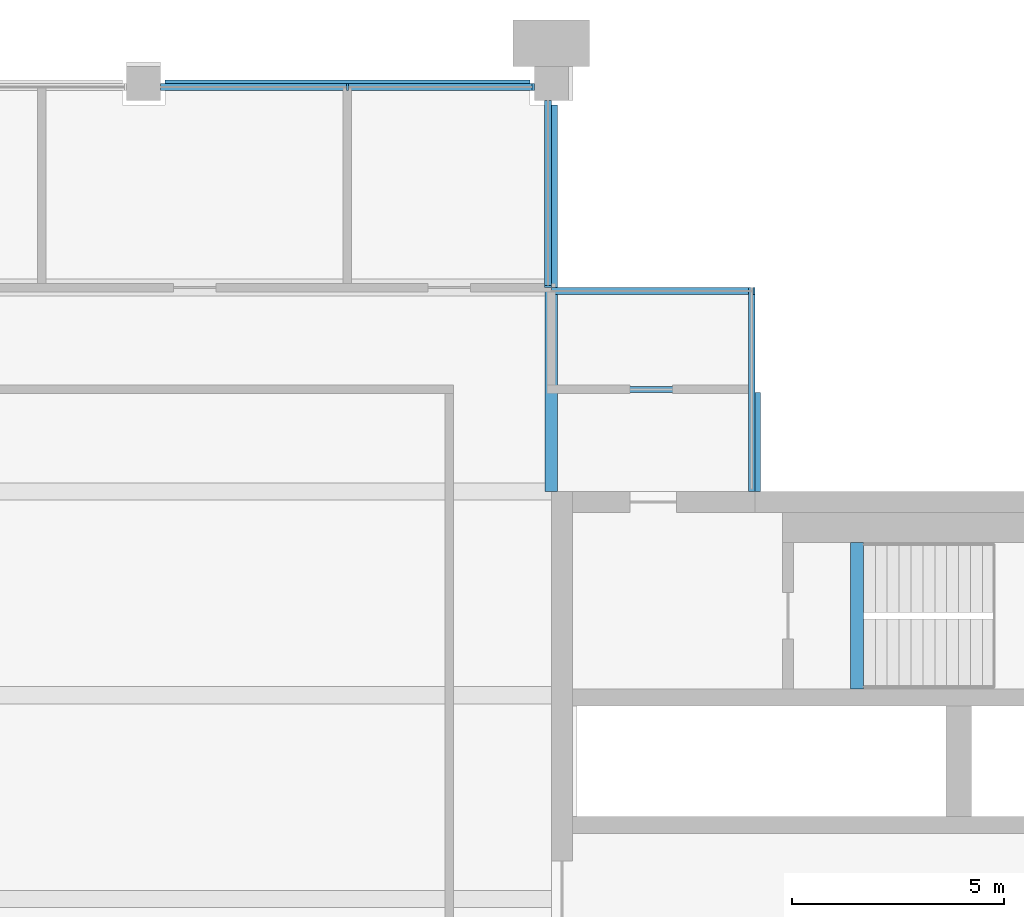
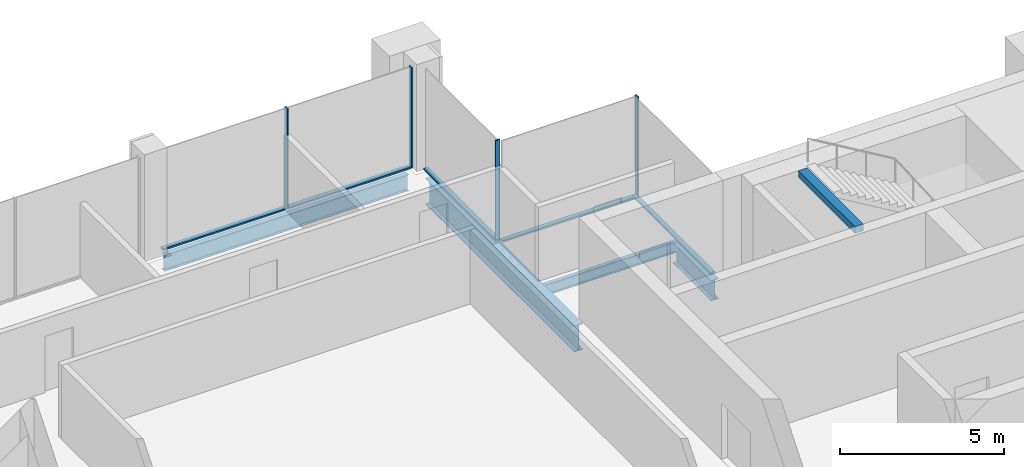
# One storey, part 6 of 11: 8 members, 5 beams, 4 elements without a shape of their own.
"""IFC4 building model written with IfcOpenShell, lengths in metres."""

from ifc_helpers import new_model, si_unit, direction, frame, origin, origin_2d, place, context, subcontext, project, spatial, rectangle, i_section, extrude, material, material_profile, profile_set, type_object, element, aggregate, save


model = new_model("IFC4")

# Units and contexts
model_context = context("Model", 3, precision=1e-05, world=origin(), true_north=direction((0.0, 1.0)))
body_context = subcontext(model_context, "Body", "Model", "MODEL_VIEW")
ifc_project = project(units=[si_unit("LENGTHUNIT", "METRE"), si_unit("AREAUNIT", "SQUARE_METRE"), si_unit("VOLUMEUNIT", "CUBIC_METRE"), si_unit("PLANEANGLEUNIT", "RADIAN"), si_unit("MASSUNIT", "GRAM", prefix="KILO")], contexts=[model_context])

# Site, building, storey
site_placement = place(None, origin())
site = spatial("IfcSite", under=ifc_project, at=site_placement, CompositionType="ELEMENT")
building_placement = place(site_placement, origin())
building = spatial("IfcBuilding", under=site, at=building_placement, Name="Baori Bourse Tower", CompositionType="ELEMENT")
storey_placement = place(building_placement, frame((0.0, 0.0, 354.300048828125)))
storey = spatial("IfcBuildingStorey", under=building, at=storey_placement, Name="L79", CompositionType="ELEMENT", Elevation=354.300048828125)

# Curtain wall, member
ifc_material_1 = material(Name="Pale anodised aluminium", Category="aluminium")
curtain_wall_type = type_object("IfcCurtainWallType", Name="CW3 Curtain wall", PredefinedType="NOTDEFINED", material=ifc_material_1)
curtain_wall_1_placement = place(storey_placement, origin())
curtain_wall_1 = element("IfcCurtainWall", 1, at=curtain_wall_1_placement, inside=storey, type_object=curtain_wall_type, Name="Curtain wall CW3 L79 3", PredefinedType="NOTDEFINED")
ifc_material_2 = material(Name="Pale anodised aluminium", Category="aluminium")
ifc_material_profile_1 = material_profile(ifc_material_2, rectangle(XDim=0.159912109375, YDim=0.050048828125, at=origin_2d()), Name="Mullion 50x160")
ifc_profile_set_1 = profile_set([ifc_material_profile_1], Name="Pale anodised aluminium")
member_type_1 = type_object("IfcMemberType", Name="CW3 Curtain wall mullion", PredefinedType="MULLION", material=ifc_profile_set_1)
member_1_placement = place(storey_placement, frame((43.175048828125, 43.1201171875, 0.06005859375), z_axis=(0.0, 0.0, 1.0), x_axis=(0.0, -1.0, 0.0)))
member_1 = element("IfcMember", 2, at=member_1_placement, type_object=member_type_1, Name="Curtain wall CW3 mullion", PredefinedType="MULLION", context=body_context, shape_type="SweptSolid", body=[
    extrude(rectangle(XDim=0.159912109375, YDim=0.050048828125, at=origin_2d()), origin(), (0.0, 0.0, 1.0), 3.68994140625),
])

curtain_wall_2_placement = place(storey_placement, origin())
curtain_wall_2 = element("IfcCurtainWall", 3, at=curtain_wall_2_placement, inside=storey, type_object=curtain_wall_type, Name="Curtain wall CW3 L79 4", PredefinedType="NOTDEFINED")
member_2_placement = place(storey_placement, frame((38.320068359375, 43.22509765625, 0.06005859375), z_axis=(0.0, 0.0, 1.0), x_axis=(-1.0, 0.0, 0.0)))
member_2 = element("IfcMember", 4, at=member_2_placement, type_object=member_type_1, Name="Curtain wall CW3 mullion", PredefinedType="MULLION", context=body_context, shape_type="SweptSolid", body=[
    extrude(rectangle(XDim=0.159912109375, YDim=0.050048828125, at=origin_2d()), origin(), (0.0, 0.0, 1.0), 3.68994140625),
])

# Curtain wall, members
curtain_wall_3_placement = place(storey_placement, origin())
curtain_wall_3 = element("IfcCurtainWall", 5, at=curtain_wall_3_placement, inside=storey, type_object=curtain_wall_type, Name="Curtain wall CW3 L79 5", PredefinedType="NOTDEFINED")
member_3_placement = place(storey_placement, frame((37.97509765625, 47.919921875, 0.06005859375), z_axis=(0.0, 0.0, 1.0), x_axis=(0.0, -1.0, 0.0)))
member_3 = element("IfcMember", 6, at=member_3_placement, type_object=member_type_1, Name="Curtain wall CW3 mullion", PredefinedType="MULLION", context=body_context, shape_type="SweptSolid", body=[
    extrude(rectangle(XDim=0.159912109375, YDim=0.050048828125, at=origin_2d()), origin(), (0.0, 0.0, 1.0), 3.68994140625),
])
member_4_placement = place(storey_placement, frame((33.60009765625, 47.919921875, 0.06005859375), z_axis=(0.0, 0.0, 1.0), x_axis=(0.0, -1.0, 0.0)))
member_4 = element("IfcMember", 7, at=member_4_placement, type_object=member_type_1, Name="Curtain wall CW3 mullion", PredefinedType="MULLION", context=body_context, shape_type="SweptSolid", body=[
    extrude(rectangle(XDim=0.159912109375, YDim=0.050048828125, at=origin_2d()), origin(), (0.0, 0.0, 1.0), 3.68994140625),
])

# Curtain wall, member
curtain_wall_4_placement = place(storey_placement, origin())
curtain_wall_4 = element("IfcCurtainWall", 8, at=curtain_wall_4_placement, inside=storey, type_object=curtain_wall_type, Name="Curtain wall CW3 L79 2", PredefinedType="NOTDEFINED")
ifc_material_3 = material(Name="Pale anodised aluminium", Category="aluminium")
ifc_material_profile_2 = material_profile(ifc_material_3, rectangle(XDim=0.159912109375, YDim=0.06005859375, at=origin_2d()), Name="Transom 60x160")
ifc_profile_set_2 = profile_set([ifc_material_profile_2], Name="Pale anodised aluminium")
member_type_2 = type_object("IfcMemberType", Name="CW3 Curtain wall transom", PredefinedType="USERDEFINED", material=ifc_profile_set_2)
member_5_placement = place(storey_placement, frame((43.1201171875, 38.39990234375, 0.030029296875), z_axis=(0.0, 1.0, 0.0), x_axis=(-1.0, 0.0, 0.0)))
member_5 = element("IfcMember", 9, at=member_5_placement, type_object=member_type_2, Name="Curtain wall CW3 sill rail", ObjectType="TRANSOM", PredefinedType="USERDEFINED", context=body_context, shape_type="SweptSolid", body=[
    extrude(rectangle(XDim=0.159912109375, YDim=0.06005859375, at=origin_2d()), origin(), (0.0, 0.0, 1.0), 4.800048828125),
])
aggregate(curtain_wall_4, [member_5])

# Member
member_6_placement = place(storey_placement, frame((43.199951171875, 43.1201171875, 0.030029296875), z_axis=(-1.0, 0.0, 0.0), x_axis=(0.0, -1.0, 0.0)))
member_6 = element("IfcMember", 10, at=member_6_placement, type_object=member_type_2, Name="Curtain wall CW3 sill rail", ObjectType="TRANSOM", PredefinedType="USERDEFINED", context=body_context, shape_type="SweptSolid", body=[
    extrude(rectangle(XDim=0.159912109375, YDim=0.06005859375, at=origin_2d()), origin(), (0.0, 0.0, 1.0), 4.800048828125),
])

aggregate(curtain_wall_1, [member_6, member_1])

member_7_placement = place(storey_placement, frame((38.320068359375, 43.199951171875, 0.030029296875), z_axis=(0.0, 1.0, 0.0), x_axis=(-1.0, 0.0, 0.0)))
member_7 = element("IfcMember", 11, at=member_7_placement, type_object=member_type_2, Name="Curtain wall CW3 sill rail", ObjectType="TRANSOM", PredefinedType="USERDEFINED", context=body_context, shape_type="SweptSolid", body=[
    extrude(rectangle(XDim=0.159912109375, YDim=0.06005859375, at=origin_2d()), origin(), (0.0, 0.0, 1.0), 4.400146484375),
])

aggregate(curtain_wall_2, [member_7, member_2])

member_8_placement = place(storey_placement, frame((38.0, 47.919921875, 0.030029296875), z_axis=(-1.0, 0.0, 0.0), x_axis=(0.0, -1.0, 0.0)))
member_8 = element("IfcMember", 12, at=member_8_placement, type_object=member_type_2, Name="Curtain wall CW3 sill rail", ObjectType="TRANSOM", PredefinedType="USERDEFINED", context=body_context, shape_type="SweptSolid", body=[
    extrude(rectangle(XDim=0.159912109375, YDim=0.06005859375, at=origin_2d()), origin(), (0.0, 0.0, 1.0), 8.800048828125),
])

aggregate(curtain_wall_3, [member_8, member_3, member_4])

# Beams
ifc_material_4 = material(Name="Steel A992 Gr 50", Category="steel")
ifc_material_profile_3 = material_profile(ifc_material_4, i_section(OverallWidth=0.26416015625, OverallDepth=0.749267578125, WebThickness=0.011962890625, FlangeThickness=0.015380859375, at=origin_2d()), Name="W30x90")
ifc_profile_set_3 = profile_set([ifc_material_profile_3], Name="Steel A992 Gr 50")
beam_type_1 = type_object("IfcBeamType", Name="Core bracket W30x90", PredefinedType="BEAM", material=ifc_profile_set_3)
beam_1_placement = place(storey_placement, frame((43.199951171875, 38.39990234375, -0.624755859375), z_axis=(0.0, 1.0, 0.0), x_axis=(-1.0, 0.0, 0.0)))
element("IfcBeam", 13, at=beam_1_placement, inside=storey, type_object=beam_type_1, Name="Core bracket L79", PredefinedType="BEAM", context=body_context, shape_type="SweptSolid", body=[
    extrude(i_section(OverallWidth=0.26416015625, OverallDepth=0.749267578125, WebThickness=0.011962890625, FlangeThickness=0.015380859375, at=origin_2d()), origin(), (0.0, 0.0, 1.0), 2.329833984375),
])
ifc_material_5 = material(Name="Steel A992 Gr 50", Category="steel")
ifc_material_profile_4 = material_profile(ifc_material_5, i_section(OverallWidth=0.177978515625, OverallDepth=0.599365234375, WebThickness=0.010009765625, FlangeThickness=0.012939453125, at=origin_2d()), Name="W24x55")
ifc_profile_set_4 = profile_set([ifc_material_profile_4], Name="Steel A992 Gr 50")
beam_type_2 = type_object("IfcBeamType", Name="Edge beam W24x55", PredefinedType="BEAM", material=ifc_profile_set_4)
beam_2_placement = place(storey_placement, frame((29.300048828125, 48.0, -0.5498046875), z_axis=(1.0, 0.0, 0.0), x_axis=(0.0, 1.0, 0.0)))
element("IfcBeam", 14, at=beam_2_placement, inside=storey, type_object=beam_type_2, Name="Edge beam L79", PredefinedType="BEAM", context=body_context, shape_type="SweptSolid", body=[
    extrude(i_section(OverallWidth=0.177978515625, OverallDepth=0.599365234375, WebThickness=0.010009765625, FlangeThickness=0.012939453125, at=origin_2d()), origin(), (0.0, 0.0, 1.0), 8.599853515625),
])
ifc_material_6 = material(Name="Steel A992 Gr 50", Category="steel")
ifc_material_profile_5 = material_profile(ifc_material_6, i_section(OverallWidth=0.2998046875, OverallDepth=0.97021484375, WebThickness=0.01611328125, FlangeThickness=0.02099609375, at=origin_2d()), Name="W40x149")
ifc_profile_set_5 = profile_set([ifc_material_profile_5], Name="Steel A992 Gr 50")
beam_type_3 = type_object("IfcBeamType", Name="Girder W40x149", PredefinedType="BEAM", material=ifc_profile_set_5)
beam_3_placement = place(storey_placement, frame((38.39990234375, 38.39990234375, -0.735107421875), z_axis=(0.0, 1.0, 0.0), x_axis=(-1.0, 0.0, 0.0)))
element("IfcBeam", 15, at=beam_3_placement, inside=storey, type_object=beam_type_3, Name="Girder L79", PredefinedType="BEAM", context=body_context, shape_type="SweptSolid", body=[
    extrude(i_section(OverallWidth=0.2998046875, OverallDepth=0.97021484375, WebThickness=0.01611328125, FlangeThickness=0.02099609375, at=origin_2d()), origin(), (0.0, 0.0, 1.0), 9.10009765625),
])
ifc_material_7 = material(Name="Concrete f'c 50 MPa", Category="concrete")
ifc_material_profile_6 = material_profile(ifc_material_7, rectangle(XDim=0.300048828125, YDim=0.25, at=origin_2d()), Name="RC 300x250")
ifc_profile_set_6 = profile_set([ifc_material_profile_6], Name="Concrete f'c 50 MPa")
beam_type_4 = type_object("IfcBeamType", Name="Stair nib beam RC 300x250", PredefinedType="BEAM", material=ifc_profile_set_6)
beam_4_placement = place(storey_placement, frame((45.60009765625, 33.75, 3.625), z_axis=(0.0, 1.0, 0.0), x_axis=(-1.0, 0.0, 0.0)))
element("IfcBeam", 16, at=beam_4_placement, inside=storey, type_object=beam_type_4, Name="Stair EB nib beam L80", PredefinedType="BEAM", context=body_context, shape_type="SweptSolid", body=[
    extrude(rectangle(XDim=0.300048828125, YDim=0.25, at=origin_2d()), origin(), (0.0, 0.0, 1.0), 3.449951171875),
])
ifc_material_8 = material(Name="Steel A992 Gr 50", Category="steel")
ifc_material_profile_7 = material_profile(ifc_material_8, i_section(OverallWidth=0.140380859375, OverallDepth=0.40380859375, WebThickness=0.007080078125, FlangeThickness=0.01123046875, at=origin_2d()), Name="W16x31")
ifc_profile_set_7 = profile_set([ifc_material_profile_7], Name="Steel A992 Gr 50")
beam_type_5 = type_object("IfcBeamType", Name="Trimmer beam W16x31", PredefinedType="BEAM", material=ifc_profile_set_7)
beam_5_placement = place(storey_placement, frame((38.5498046875, 40.800048828125, -0.451904296875), z_axis=(1.0, 0.0, 0.0), x_axis=(0.0, 1.0, 0.0)))
element("IfcBeam", 17, at=beam_5_placement, inside=storey, type_object=beam_type_5, Name="Trimmer beam L79", PredefinedType="BEAM", context=body_context, shape_type="SweptSolid", body=[
    extrude(i_section(OverallWidth=0.140380859375, OverallDepth=0.40380859375, WebThickness=0.007080078125, FlangeThickness=0.01123046875, at=origin_2d()), origin(), (0.0, 0.0, 1.0), 4.650146484375),
])

save(model, "model.ifc")
